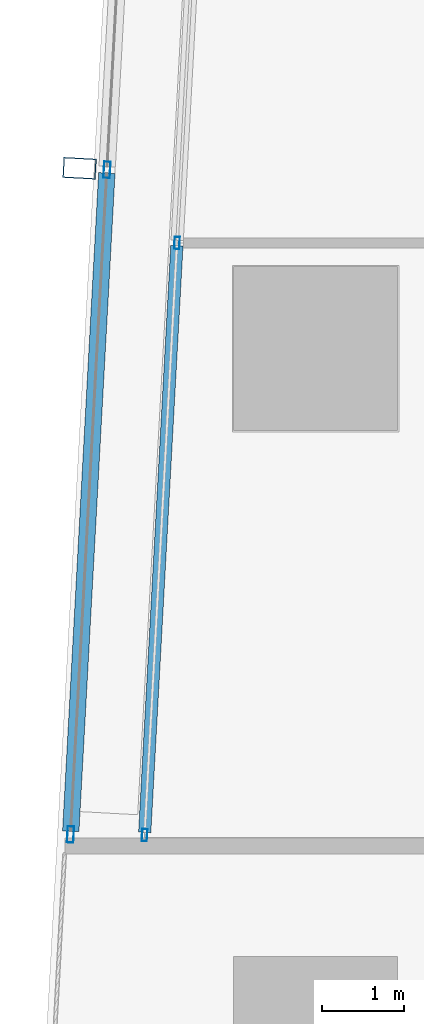
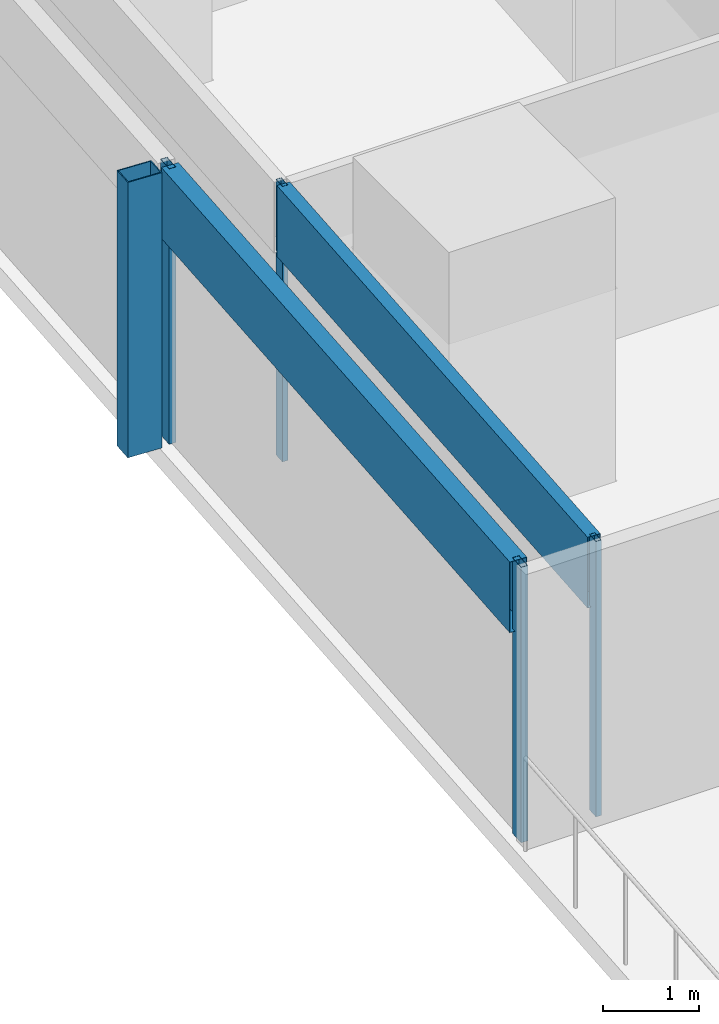
# One storey, part 5 of 36: 7 members, 2 elements without a shape of their own.
"""IFC4 building model written with IfcOpenShell, lengths in metres."""

import ifcopenshell
import ifcopenshell.guid

model = None  # the IFC model being written
_history = None  # IfcOwnerHistory: only IFC2X3 demands one
_inside = {}  # id of a spatial element -> (the spatial element, [elements in it])
_under = {}  # id of a project, library or spatial element -> (it, [spatial elements below it])
_declared = {}  # id of a project -> (the project, [libraries it declares])
_typed = {}  # id of a type object -> (the type object, [elements of that type])
_made_of = {}  # id of a material, layer set ... -> (it, [elements and type objects made of it])


def new_model(schema):
    """Start an empty IFC model of exactly this schema.

    Asked for "IFC4X3", IfcOpenShell would pick the latest addendum, in which some entities
    have other attributes; the version numbers below select the first issue.
    IFC2X3 requires an IfcOwnerHistory on every rooted entity: one is made here for all.
    """
    global model, _history
    if schema == "IFC4X3":
        model = ifcopenshell.file(schema_version=(4, 3, 0, 0))
    else:
        model = ifcopenshell.file(schema=schema)
    _inside.clear()
    _under.clear()
    _declared.clear()
    _typed.clear()
    _made_of.clear()
    _history = None
    if model.schema == "IFC2X3":
        org = make("IfcOrganization", Name="unknown")
        user = make(
            "IfcPersonAndOrganization",
            ThePerson=make("IfcPerson", FamilyName="unknown"),
            TheOrganization=org,
        )
        app = make(
            "IfcApplication",
            ApplicationDeveloper=org,
            Version="unknown",
            ApplicationFullName="unknown",
            ApplicationIdentifier="unknown",
        )
        _history = make(
            "IfcOwnerHistory",
            OwningUser=user,
            OwningApplication=app,
            ChangeAction="ADDED",
            CreationDate=0,
        )
    return model


def make(cls, **values):
    """One entity of the class cls with the attributes given. An attribute that is None is left unset."""
    return model.create_entity(
        cls, **{name: value for name, value in values.items() if value is not None}
    )


def rooted(cls, **values):
    """An entity with a GlobalId (a new one), such as an element, a storey or a relation."""
    return make(cls, GlobalId=ifcopenshell.guid.new(), OwnerHistory=_history, **values)


def si_unit(unit_type, name, prefix=None):
    """IfcSIUnit, for example si_unit("LENGTHUNIT", "METRE", prefix="MILLI")."""
    return make("IfcSIUnit", UnitType=unit_type, Prefix=prefix, Name=name)


def assignment(units):
    """IfcUnitAssignment: the units of a project."""
    return None if units is None else make("IfcUnitAssignment", Units=units)


def point(xyz):
    """IfcCartesianPoint."""
    return None if xyz is None else make("IfcCartesianPoint", Coordinates=xyz)


def direction(xyz):
    """IfcDirection."""
    return None if xyz is None else make("IfcDirection", DirectionRatios=xyz)


def frame(location, z_axis=None, x_axis=None):
    """IfcAxis2Placement3D, a coordinate frame: its origin and axes. An axis left out is left unset."""
    return make(
        "IfcAxis2Placement3D",
        Location=point(location),
        Axis=direction(z_axis),
        RefDirection=direction(x_axis),
    )


def frame_2d(location, x_axis=None):
    """IfcAxis2Placement2D, a coordinate frame in the plane: its origin and x axis."""
    return make(
        "IfcAxis2Placement2D", Location=point(location), RefDirection=direction(x_axis)
    )


def origin():
    """The frame at (0, 0, 0) with its axes left unset."""
    return frame((0.0, 0.0, 0.0))


def origin_2d():
    """The frame at (0, 0) in the plane with its x axis left unset."""
    return frame_2d((0.0, 0.0))


def place(relative_to, where):
    """IfcLocalPlacement: puts the frame where relative to a parent placement (None: the world)."""
    return make(
        "IfcLocalPlacement", PlacementRelTo=relative_to, RelativePlacement=where
    )


def context(
    kind, dimensions, precision=None, world=None, true_north=None, identifier=None
):
    """IfcGeometricRepresentationContext, for example the 3D "Model" context."""
    return make(
        "IfcGeometricRepresentationContext",
        ContextIdentifier=identifier,
        ContextType=kind,
        CoordinateSpaceDimension=dimensions,
        Precision=precision,
        WorldCoordinateSystem=world,
        TrueNorth=true_north,
    )


def subcontext(parent, identifier, kind, view, scale=None):
    """IfcGeometricRepresentationSubContext, for example "Body" below "Model"."""
    return make(
        "IfcGeometricRepresentationSubContext",
        ContextIdentifier=identifier,
        ContextType=kind,
        ParentContext=parent,
        TargetScale=scale,
        TargetView=view,
    )


def project(units=None, contexts=None):
    """IfcProject with its units and contexts."""
    return rooted(
        "IfcProject",
        Name="project",
        RepresentationContexts=contexts,
        UnitsInContext=assignment(units),
    )


def spatial(cls, under=None, at=None, **own):
    """A site, building, storey or space (cls), placed at a placement, below another one or the project."""
    s = rooted(cls, ObjectPlacement=at, **own)
    if under is not None:
        _under.setdefault(under.id(), (under, []))[1].append(s)
    return s


def profile(cls, at=None, kind="AREA", **sizes):
    """A parametric profile (cls). Its sizes go by their IFC names, for example OverallWidth=200.0."""
    return make(cls, ProfileType=kind, Position=at, **sizes)


def hollow_rectangle(**sizes):
    """IfcRectangleHollowProfileDef."""
    return profile("IfcRectangleHollowProfileDef", **sizes)


def extrude(swept, where, along, depth):
    """IfcExtrudedAreaSolid: the profile swept, set in the frame where, extruded along a direction by depth."""
    return make(
        "IfcExtrudedAreaSolid",
        SweptArea=swept,
        Position=where,
        ExtrudedDirection=direction(along),
        Depth=depth,
    )


def shape(context_of_items, identifier, shape_type, items):
    """IfcShapeRepresentation: the items that make up one representation, for example the "Body"."""
    return make(
        "IfcShapeRepresentation",
        ContextOfItems=context_of_items,
        RepresentationIdentifier=identifier,
        RepresentationType=shape_type,
        Items=items,
    )


def material(Name=None, Category=None):
    """IfcMaterial."""
    return make("IfcMaterial", Name=Name, Category=Category)


def material_profile(
    of_material, cross_section, Name=None, Category=None, Priority=None
):
    """IfcMaterialProfile: a cross section and its material."""
    return make(
        "IfcMaterialProfile",
        Name=Name,
        Material=of_material,
        Profile=cross_section,
        Priority=Priority,
        Category=Category,
    )


def profile_set(profiles, Name=None, composite=None):
    """IfcMaterialProfileSet."""
    return make(
        "IfcMaterialProfileSet",
        Name=Name,
        MaterialProfiles=profiles,
        CompositeProfile=composite,
    )


def made_of(thing, what):
    """Note that an element or type object is made of a material, layer set ...; save() writes the relation."""
    if what is not None:
        _made_of.setdefault(what.id(), (what, []))[1].append(thing)
    return thing


def type_object(cls, material=None, **own):
    """A type object (cls), such as IfcWallType, which elements share."""
    return made_of(rooted(cls, **own), material)


def element(
    cls,
    number,
    at=None,
    inside=None,
    cuts=None,
    type_object=None,
    material=None,
    context=None,
    identifier="Body",
    shape_type=None,
    held_by="IfcProductDefinitionShape",
    body=None,
    shapes=None,
    **own,
):
    """One element of the class cls, such as IfcWall. Its Tag is "e" and its number.

    at: its placement. inside: the storey or other place that contains it. cuts: it is an
    opening in that element (IfcRelVoidsElement). A single representation is given by context,
    identifier, shape_type and body (its items); several are given by shapes. held_by: the class
    of the entity that holds the representations. save() writes the other relations.
    """
    e = rooted(cls, Tag="e%d" % number, ObjectPlacement=at, **own)
    if body is not None:
        shapes = [shape(context, identifier, shape_type, body)]
    if shapes is not None:
        e.Representation = make(held_by, Representations=shapes)
    if inside is not None:
        _inside.setdefault(inside.id(), (inside, []))[1].append(e)
    if cuts is not None:
        rooted(
            "IfcRelVoidsElement", RelatingBuildingElement=cuts, RelatedOpeningElement=e
        )
    if type_object is not None:
        _typed.setdefault(type_object.id(), (type_object, []))[1].append(e)
    return made_of(e, material)


def aggregate(whole, parts):
    """IfcRelAggregates: a whole, such as a stair, and the parts it consists of."""
    return rooted("IfcRelAggregates", RelatingObject=whole, RelatedObjects=parts)


def save(model, path):
    """Write the relations noted so far, then the file.

    IfcRelAggregates (storeys below a building ...), IfcRelContainedInSpatialStructure (elements
    in a storey), IfcRelDefinesByType, IfcRelAssociatesMaterial and IfcRelDeclares: one each for
    every whole, place, type object, material and project.
    """
    for whole, parts in _under.values():
        aggregate(whole, parts)
    for where, things in _inside.values():
        rooted(
            "IfcRelContainedInSpatialStructure",
            RelatedElements=things,
            RelatingStructure=where,
        )
    for kind, things in _typed.values():
        rooted("IfcRelDefinesByType", RelatedObjects=things, RelatingType=kind)
    for what, things in _made_of.values():
        rooted("IfcRelAssociatesMaterial", RelatedObjects=things, RelatingMaterial=what)
    for by, libraries in _declared.values():
        rooted("IfcRelDeclares", RelatingContext=by, RelatedDefinitions=libraries)
    model.write(path)


model = new_model("IFC4")

# Units and contexts
model_context = context("Model", 3, precision=1e-05, world=origin(), true_north=direction((0.0, 1.0)))
body_context = subcontext(model_context, "Body", "Model", "MODEL_VIEW")
ifc_project = project(units=[si_unit("LENGTHUNIT", "METRE"), si_unit("AREAUNIT", "SQUARE_METRE"), si_unit("VOLUMEUNIT", "CUBIC_METRE"), si_unit("PLANEANGLEUNIT", "RADIAN"), si_unit("MASSUNIT", "GRAM", prefix="KILO")], contexts=[model_context])

# Site, building, storey
site_placement = place(None, origin())
site = spatial("IfcSite", under=ifc_project, at=site_placement, CompositionType="ELEMENT")
building_placement = place(site_placement, origin())
building = spatial("IfcBuilding", under=site, at=building_placement, Name="Rekha Terrace Tower", CompositionType="ELEMENT")
storey_placement = place(building_placement, frame((0.0, 0.0, 144.050048828125)))
storey = spatial("IfcBuildingStorey", under=building, at=storey_placement, Name="L36", CompositionType="ELEMENT", Elevation=144.050048828125)

# Curtain wall, member
ifc_material_1 = material(Name="Aluminium framing", Category="aluminium")
curtain_wall_type_1 = type_object("IfcCurtainWallType", Name="CW2 double skin outer glazing", PredefinedType="USERDEFINED", material=ifc_material_1)
curtain_wall_1_placement = place(storey_placement, origin())
curtain_wall_1 = element("IfcCurtainWall", 1, at=curtain_wall_1_placement, inside=storey, type_object=curtain_wall_type_1, Name="CW2 double skin outer glazing", ObjectType="DOUBLE SKIN OUTER GLAZING", PredefinedType="USERDEFINED")
ifc_material_2 = material(Name="Steel S355 with fluorocarbon finish", Category="steel")
ifc_material_profile_1 = material_profile(ifc_material_2, hollow_rectangle(XDim=0.25, YDim=0.39990234375, WallThickness=0.012451171875, at=origin_2d()), Name="RHS400x250x12.5")
ifc_profile_set_1 = profile_set([ifc_material_profile_1], Name="Steel S355 with fluorocarbon finish")
member_type_1 = type_object("IfcMemberType", Name="BL1 facade blade RHS 400 x 250", PredefinedType="USERDEFINED", material=ifc_profile_set_1)
member_1_placement = place(storey_placement, frame((5.525390625, 44.19580078125, 0.0), z_axis=(0.0, 0.0, 1.0), x_axis=(-0.054742798353, -0.998500488747, 0.0)))
member_1 = element("IfcMember", 2, at=member_1_placement, type_object=member_type_1, Name="Facade blade", ObjectType="FACADE BLADE", PredefinedType="USERDEFINED", context=body_context, shape_type="SweptSolid", body=[
    extrude(hollow_rectangle(XDim=0.25, YDim=0.39990234375, WallThickness=0.012451171875, at=origin_2d()), origin(), (0.0, 0.0, 1.0), 3.5),
])

# Curtain wall, members
curtain_wall_type_2 = type_object("IfcCurtainWallType", Name="CW1 double skin inner glazing", PredefinedType="USERDEFINED", material=ifc_material_1)
curtain_wall_2_placement = place(storey_placement, origin())
curtain_wall_2 = element("IfcCurtainWall", 3, at=curtain_wall_2_placement, inside=storey, type_object=curtain_wall_type_2, Name="CW1 double skin inner glazing", ObjectType="DOUBLE SKIN INNER GLAZING", PredefinedType="USERDEFINED")
ifc_material_3 = material(Name="Aluminium mullion section", Category="aluminium")
ifc_material_profile_2 = material_profile(ifc_material_3, hollow_rectangle(XDim=0.06494140625, YDim=0.14990234375, WallThickness=0.00390625, at=origin_2d()), Name="AL RHS 65x150")
ifc_profile_set_2 = profile_set([ifc_material_profile_2], Name="Aluminium mullion section")
member_type_2 = type_object("IfcMemberType", Name="CW1 mullion RHS 65 x 150", PredefinedType="MULLION", material=ifc_profile_set_2)
member_2_placement = place(storey_placement, frame((6.71240234375, 43.286865234375, 0.0), z_axis=(0.0, 0.0, 1.0), x_axis=(0.998500513181, -0.05474235269, 0.0)))
member_2 = element("IfcMember", 4, at=member_2_placement, type_object=member_type_2, Name="CW1 mullion 3", PredefinedType="MULLION", context=body_context, shape_type="SweptSolid", body=[
    extrude(hollow_rectangle(XDim=0.06494140625, YDim=0.14990234375, WallThickness=0.00390625, at=origin_2d()), origin(), (0.0, 0.0, 1.0), 3.5),
])
member_3_placement = place(storey_placement, frame((6.317138671875, 36.075439453125, 0.0), z_axis=(0.0, 0.0, 1.0), x_axis=(0.998500513181, -0.05474235269, 0.0)))
member_3 = element("IfcMember", 5, at=member_3_placement, type_object=member_type_2, Name="CW1 mullion 4", PredefinedType="MULLION", context=body_context, shape_type="SweptSolid", body=[
    extrude(hollow_rectangle(XDim=0.06494140625, YDim=0.14990234375, WallThickness=0.00390625, at=origin_2d()), origin(), (0.0, 0.0, 1.0), 3.5),
])
ifc_material_4 = material(Name="Insulated aluminium spandrel box", Category="aluminium")
ifc_material_profile_3 = material_profile(ifc_material_4, hollow_rectangle(XDim=0.14990234375, YDim=0.89990234375, WallThickness=0.0029296875, at=origin_2d()), Name="AL SPANDREL BOX 150x900")
ifc_profile_set_3 = profile_set([ifc_material_profile_3], Name="Insulated aluminium spandrel box")
member_type_3 = type_object("IfcMemberType", Name="CW1 spandrel transom 150 x 900", PredefinedType="USERDEFINED", material=ifc_profile_set_3)
member_4_placement = place(storey_placement, frame((6.710693359375, 43.25439453125, 3.050048828125), z_axis=(-0.054748319166, -0.998500186053, 0.0), x_axis=(0.998500186053, -0.054748319166, 0.0)))
member_4 = element("IfcMember", 6, at=member_4_placement, type_object=member_type_3, Name="CW1 spandrel transom 3", ObjectType="TRANSOM", PredefinedType="USERDEFINED", context=body_context, shape_type="SweptSolid", body=[
    extrude(hollow_rectangle(XDim=0.14990234375, YDim=0.89990234375, WallThickness=0.0029296875, at=origin_2d()), origin(), (0.0, 0.0, 1.0), 7.1572265625),
])
aggregate(curtain_wall_2, [member_2, member_3, member_4])

# Member
ifc_material_profile_4 = material_profile(ifc_material_3, hollow_rectangle(XDim=0.080078125, YDim=0.199951171875, WallThickness=0.00390625, at=origin_2d()), Name="AL RHS 80x200")
ifc_profile_set_4 = profile_set([ifc_material_profile_4], Name="Aluminium mullion section")
member_type_4 = type_object("IfcMemberType", Name="CW2 mullion RHS 80 x 200", PredefinedType="MULLION", material=ifc_profile_set_4)
member_5_placement = place(storey_placement, frame((5.85986328125, 44.17724609375, 0.0), z_axis=(0.0, 0.0, 1.0), x_axis=(0.99850051318, -0.054742352707, 0.0)))
member_5 = element("IfcMember", 7, at=member_5_placement, type_object=member_type_4, Name="CW2 mullion 3", PredefinedType="MULLION", context=body_context, shape_type="SweptSolid", body=[
    extrude(hollow_rectangle(XDim=0.080078125, YDim=0.199951171875, WallThickness=0.00390625, at=origin_2d()), origin(), (0.0, 0.0, 1.0), 3.5),
])

member_6_placement = place(storey_placement, frame((5.416015625, 36.0830078125, 0.0), z_axis=(0.0, 0.0, 1.0), x_axis=(0.99850051318, -0.054742352707, 0.0)))
member_6 = element("IfcMember", 8, at=member_6_placement, type_object=member_type_4, Name="CW2 mullion 4", PredefinedType="MULLION", context=body_context, shape_type="SweptSolid", body=[
    extrude(hollow_rectangle(XDim=0.080078125, YDim=0.199951171875, WallThickness=0.00390625, at=origin_2d()), origin(), (0.0, 0.0, 1.0), 3.5),
])

ifc_material_profile_5 = material_profile(ifc_material_4, hollow_rectangle(XDim=0.199951171875, YDim=0.89990234375, WallThickness=0.0029296875, at=origin_2d()), Name="AL SPANDREL BOX 200x900")
ifc_profile_set_5 = profile_set([ifc_material_profile_5], Name="Insulated aluminium spandrel box")
member_type_5 = type_object("IfcMemberType", Name="CW2 spandrel transom 200 x 900", PredefinedType="USERDEFINED", material=ifc_profile_set_5)
member_7_placement = place(storey_placement, frame((5.857666015625, 44.137451171875, 3.050048828125), z_axis=(-0.054749002906, -0.998500148563, 0.0), x_axis=(0.998500148563, -0.054749002906, 0.0)))
member_7 = element("IfcMember", 9, at=member_7_placement, type_object=member_type_5, Name="CW2 spandrel transom 3", ObjectType="TRANSOM", PredefinedType="USERDEFINED", context=body_context, shape_type="SweptSolid", body=[
    extrude(hollow_rectangle(XDim=0.199951171875, YDim=0.89990234375, WallThickness=0.0029296875, at=origin_2d()), origin(), (0.0, 0.0, 1.0), 8.026611328125),
])

aggregate(curtain_wall_1, [member_5, member_6, member_7, member_1])

save(model, "model.ifc")
